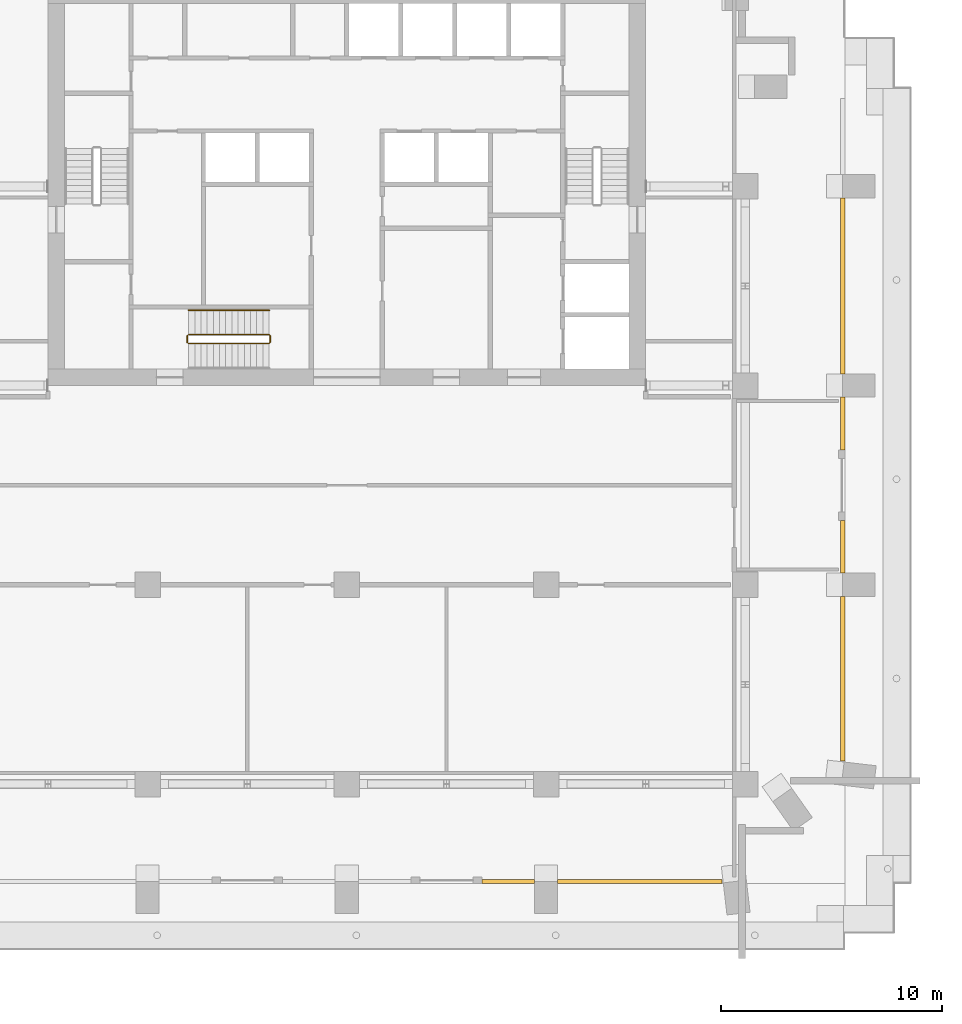
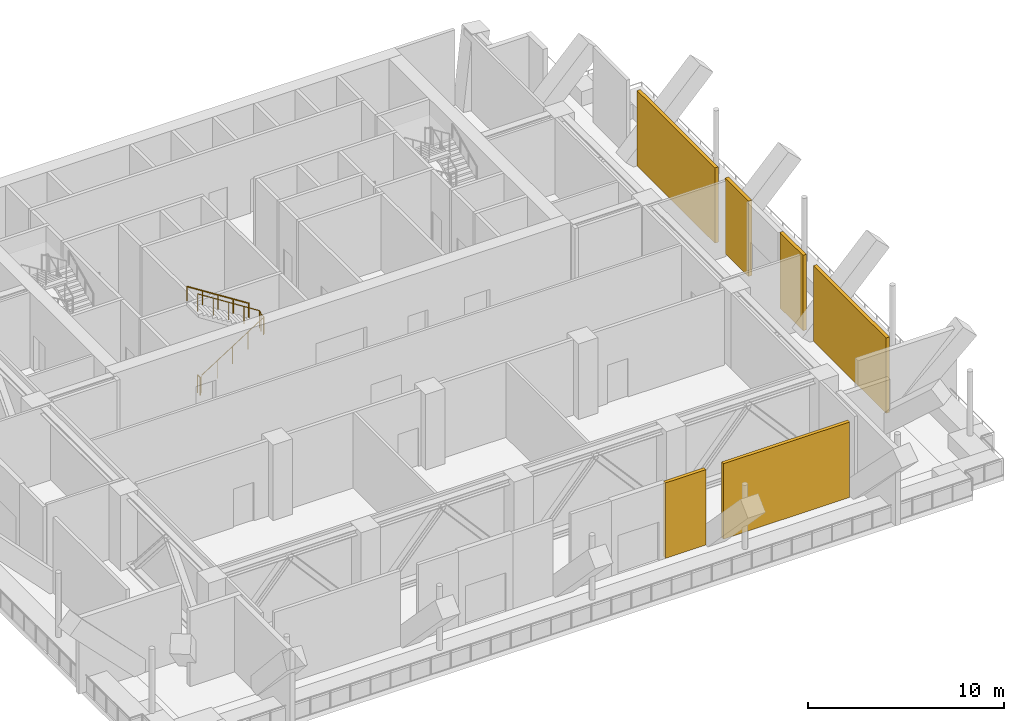
# One storey, part 7 of 9: 6 shading devices, 3 railings.
"""IFC4 building model written with IfcOpenShell, lengths in metres."""

from ifc_helpers import new_model, si_unit, direction, frame, origin, origin_2d, place, context, subcontext, project, spatial, polyline, circle, outline, extrude, material, layer, layer_set, type_object, element, save


model = new_model("IFC4")

# Units and contexts
model_context = context("Model", 3, precision=1e-05, world=origin(), true_north=direction((0.0, 1.0)))
body_context = subcontext(model_context, "Body", "Model", "MODEL_VIEW")
ifc_project = project(units=[si_unit("LENGTHUNIT", "METRE"), si_unit("AREAUNIT", "SQUARE_METRE"), si_unit("VOLUMEUNIT", "CUBIC_METRE"), si_unit("PLANEANGLEUNIT", "RADIAN"), si_unit("MASSUNIT", "GRAM", prefix="KILO")], contexts=[model_context])

# Site, building, storey
site_placement = place(None, origin())
site = spatial("IfcSite", under=ifc_project, at=site_placement, CompositionType="ELEMENT")
building_placement = place(site_placement, origin())
building = spatial("IfcBuilding", under=site, at=building_placement, Name="Orbiselva Terraces", CompositionType="ELEMENT")
storey_placement = place(building_placement, frame((0.0, 0.0, 179.4)))
storey = spatial("IfcBuildingStorey", under=building, at=storey_placement, Name="L45", CompositionType="ELEMENT", Elevation=179.4)

# Railings
ifc_material_1 = material(Name="Stainless steel", Category="steel")
railing_type_1 = type_object("IfcRailingType", Name="CORE-GUARD-1100", PredefinedType="GUARDRAIL", material=ifc_material_1)
railing_1_placement = place(storey_placement, frame((-7.15, 6.4, 0.178571)))
element("IfcRailing", 1, at=railing_1_placement, inside=storey, type_object=railing_type_1, Name="L45 S3 stair guard 1", PredefinedType="GUARDRAIL", context=body_context, shape_type="SweptSolid", body=[
    extrude(circle(Radius=0.024, at=origin_2d()), frame((0.0, 0.0, 1.081), z_axis=(0.843129645223, 0.0, 0.537710332192), x_axis=(0.0, 1.0, 0.0)), (0.0, 0.0, 1.0), 4.317248),
    extrude(circle(Radius=0.024, at=origin_2d()), frame((3.64, 0.0, 3.402429), z_axis=(0.707106781187, 0.707106781187, 0.0), x_axis=(-0.707106781187, 0.707106781187, 0.0)), (0.0, 0.0, 1.0), 0.070711),
    extrude(circle(Radius=0.024, at=origin_2d()), frame((3.69, 0.05, 3.402429), z_axis=(0.0, 1.0, 0.0), x_axis=(-1.0, 0.0, 0.0)), (0.0, 0.0, 1.0), 0.3),
    extrude(circle(Radius=0.024, at=origin_2d()), frame((3.69, 0.35, 3.402429), z_axis=(-0.260333341268, 0.260333341268, 0.92975970167), x_axis=(-0.707106781187, -0.707106781187, 0.0)), (0.0, 0.0, 1.0), 0.192061),
    extrude(circle(Radius=0.024, at=origin_2d()), frame((3.64, 0.4, 3.581), z_axis=(-0.843129645223, 0.0, 0.537710332192), x_axis=(0.0, -1.0, 0.0)), (0.0, 0.0, 1.0), 4.317248),
    extrude(circle(Radius=0.021, at=origin_2d()), origin(), (0.0, 0.0, 1.0), 1.057),
    extrude(circle(Radius=0.021, at=origin_2d()), frame((0.91, 0.0, 0.580357)), (0.0, 0.0, 1.0), 1.057),
    extrude(circle(Radius=0.021, at=origin_2d()), frame((1.82, 0.0, 1.160714)), (0.0, 0.0, 1.0), 1.057),
    extrude(circle(Radius=0.021, at=origin_2d()), frame((2.73, 0.0, 1.741072)), (0.0, 0.0, 1.0), 1.057),
    extrude(circle(Radius=0.021, at=origin_2d()), frame((3.64, 0.0, 2.321429)), (0.0, 0.0, 1.0), 1.057),
    extrude(circle(Radius=0.021, at=origin_2d()), frame((3.69, 0.05, 2.321429)), (0.0, 0.0, 1.0), 1.057),
    extrude(circle(Radius=0.021, at=origin_2d()), frame((3.69, 0.35, 2.321429)), (0.0, 0.0, 1.0), 1.057),
    extrude(circle(Radius=0.021, at=origin_2d()), frame((3.64, 0.4, 2.5)), (0.0, 0.0, 1.0), 1.057),
    extrude(circle(Radius=0.021, at=origin_2d()), frame((2.73, 0.4, 3.080357)), (0.0, 0.0, 1.0), 1.057),
    extrude(circle(Radius=0.021, at=origin_2d()), frame((1.82, 0.4, 3.660714)), (0.0, 0.0, 1.0), 1.057),
    extrude(circle(Radius=0.021, at=origin_2d()), frame((0.91, 0.4, 4.241072)), (0.0, 0.0, 1.0), 1.057),
    extrude(circle(Radius=0.021, at=origin_2d()), frame((0.0, 0.4, 4.821429)), (0.0, 0.0, 1.0), 1.057),
])
railing_2_placement = place(storey_placement, frame((-7.2, 6.45, 0.0)))
element("IfcRailing", 2, at=railing_2_placement, inside=storey, type_object=railing_type_1, Name="L45 S3 stair guard 2", PredefinedType="GUARDRAIL", context=body_context, shape_type="SweptSolid", body=[
    extrude(circle(Radius=0.024, at=origin_2d()), frame((0.0, 0.0, 1.081), z_axis=(0.0, 1.0, 0.0), x_axis=(-1.0, 0.0, 0.0)), (0.0, 0.0, 1.0), 0.3),
    extrude(circle(Radius=0.021, at=origin_2d()), origin(), (0.0, 0.0, 1.0), 1.057),
    extrude(circle(Radius=0.021, at=origin_2d()), frame((0.0, 0.3, 0.0)), (0.0, 0.0, 1.0), 1.057),
])
railing_type_2 = type_object("IfcRailingType", Name="CORE-HANDRAIL-900", PredefinedType="HANDRAIL", material=ifc_material_1)
railing_3_placement = place(storey_placement, frame((-3.51, 7.9, 2.678571)))
element("IfcRailing", 3, at=railing_3_placement, inside=storey, type_object=railing_type_2, Name="L45 S3 stair handrail 2", PredefinedType="HANDRAIL", context=body_context, shape_type="SweptSolid", body=[
    extrude(circle(Radius=0.024, at=origin_2d()), frame((0.0, 0.0, 0.876), z_axis=(-0.843129645223, 0.0, 0.537710332192), x_axis=(0.0, -1.0, 0.0)), (0.0, 0.0, 1.0), 4.317248),
    extrude(circle(Radius=0.021, at=origin_2d()), origin(), (0.0, 0.0, 1.0), 0.852),
    extrude(circle(Radius=0.021, at=origin_2d()), frame((-0.91, 0.0, 0.580357)), (0.0, 0.0, 1.0), 0.852),
    extrude(circle(Radius=0.021, at=origin_2d()), frame((-1.82, 0.0, 1.160714)), (0.0, 0.0, 1.0), 0.852),
    extrude(circle(Radius=0.021, at=origin_2d()), frame((-2.73, 0.0, 1.741072)), (0.0, 0.0, 1.0), 0.852),
    extrude(circle(Radius=0.021, at=origin_2d()), frame((-3.64, 0.0, 2.321429)), (0.0, 0.0, 1.0), 0.852),
])

# Shading devices
ifc_material_2 = material(Name="Terracotta louvre blades", Category="masonry")
ifc_layer = layer(ifc_material_2, 0.2)
ifc_layer_set = layer_set([ifc_layer], Name="Terracotta louvre blades")
shading_device_type = type_object("IfcShadingDeviceType", Name="ENV-LOUVRE-WALL-200", PredefinedType="USERDEFINED", material=ifc_layer_set)
shading_device_1_placement = place(storey_placement, origin())
element("IfcShadingDevice", 4, at=shading_device_1_placement, inside=storey, type_object=shading_device_type, Name="Louvre wall L45 S", ObjectType="LOUVRE", PredefinedType="USERDEFINED", context=body_context, shape_type="SweptSolid", body=[
    extrude(outline(polyline([(6.1, -18.0), (8.475, -18.0), (8.475, -17.8), (6.1, -17.8), (6.1, -18.0)])), origin(), (0.0, 0.0, 1.0), 4.7),
])
shading_device_2_placement = place(storey_placement, origin())
element("IfcShadingDevice", 5, at=shading_device_2_placement, inside=storey, type_object=shading_device_type, Name="Louvre wall L45 S", ObjectType="LOUVRE", PredefinedType="USERDEFINED", context=body_context, shape_type="SweptSolid", body=[
    extrude(outline(polyline([(9.525, -18.0), (16.957188, -18.0), (16.957188, -17.8), (9.525, -17.8), (9.525, -18.0)])), origin(), (0.0, 0.0, 1.0), 4.7),
])
shading_device_3_placement = place(storey_placement, origin())
element("IfcShadingDevice", 6, at=shading_device_3_placement, inside=storey, type_object=shading_device_type, Name="Louvre wall L45 E", ObjectType="LOUVRE", PredefinedType="USERDEFINED", context=body_context, shape_type="SweptSolid", body=[
    extrude(outline(polyline([(22.5, -12.457188), (22.5, -5.025), (22.3, -5.025), (22.3, -12.457188), (22.5, -12.457188)])), origin(), (0.0, 0.0, 1.0), 4.7),
])
shading_device_4_placement = place(storey_placement, origin())
element("IfcShadingDevice", 7, at=shading_device_4_placement, inside=storey, type_object=shading_device_type, Name="Louvre wall L45 E", ObjectType="LOUVRE", PredefinedType="USERDEFINED", context=body_context, shape_type="SweptSolid", body=[
    extrude(outline(polyline([(22.5, -3.975), (22.5, -1.6), (22.3, -1.6), (22.3, -3.975), (22.5, -3.975)])), origin(), (0.0, 0.0, 1.0), 4.7),
])
shading_device_5_placement = place(storey_placement, origin())
element("IfcShadingDevice", 8, at=shading_device_5_placement, inside=storey, type_object=shading_device_type, Name="Louvre wall L45 E", ObjectType="LOUVRE", PredefinedType="USERDEFINED", context=body_context, shape_type="SweptSolid", body=[
    extrude(outline(polyline([(22.5, 1.6), (22.5, 3.975), (22.3, 3.975), (22.3, 1.6), (22.5, 1.6)])), origin(), (0.0, 0.0, 1.0), 4.7),
])
shading_device_6_placement = place(storey_placement, origin())
element("IfcShadingDevice", 9, at=shading_device_6_placement, inside=storey, type_object=shading_device_type, Name="Louvre wall L45 E", ObjectType="LOUVRE", PredefinedType="USERDEFINED", context=body_context, shape_type="SweptSolid", body=[
    extrude(outline(polyline([(22.5, 5.025), (22.5, 12.975), (22.3, 12.975), (22.3, 5.025), (22.5, 5.025)])), origin(), (0.0, 0.0, 1.0), 4.7),
])

save(model, "model.ifc")
